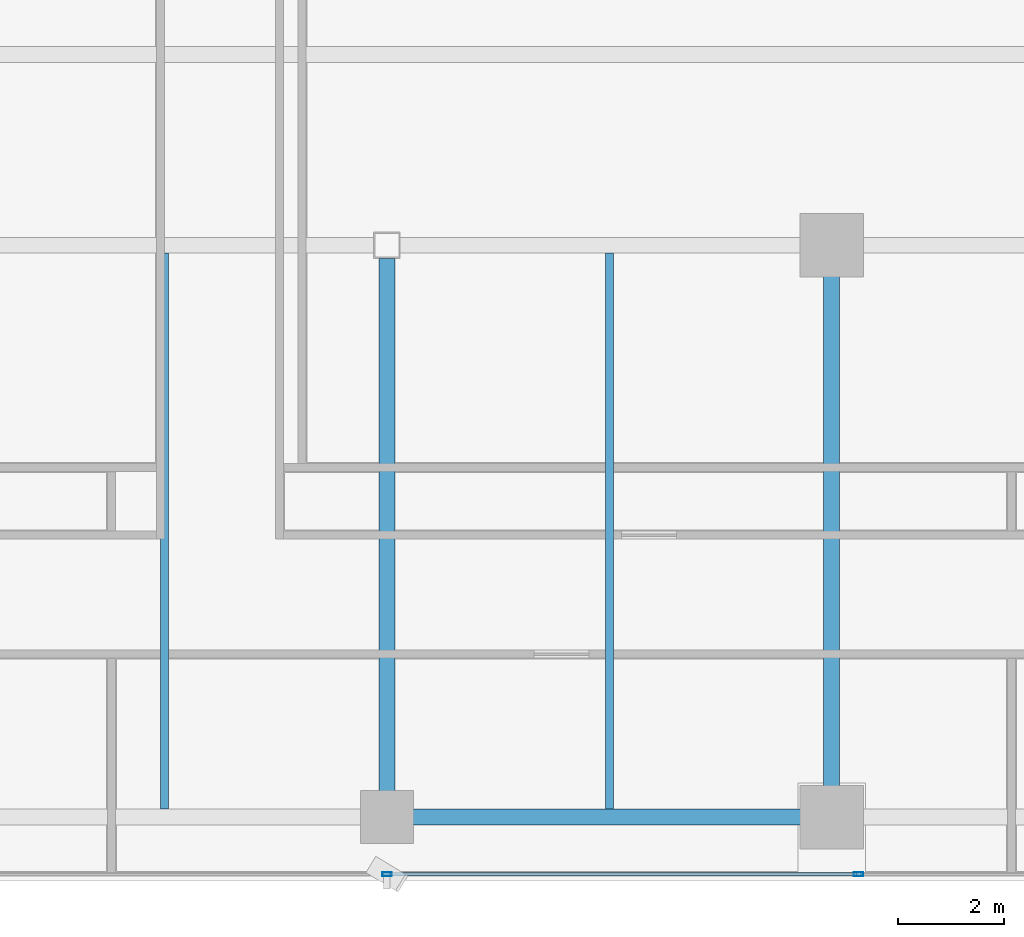
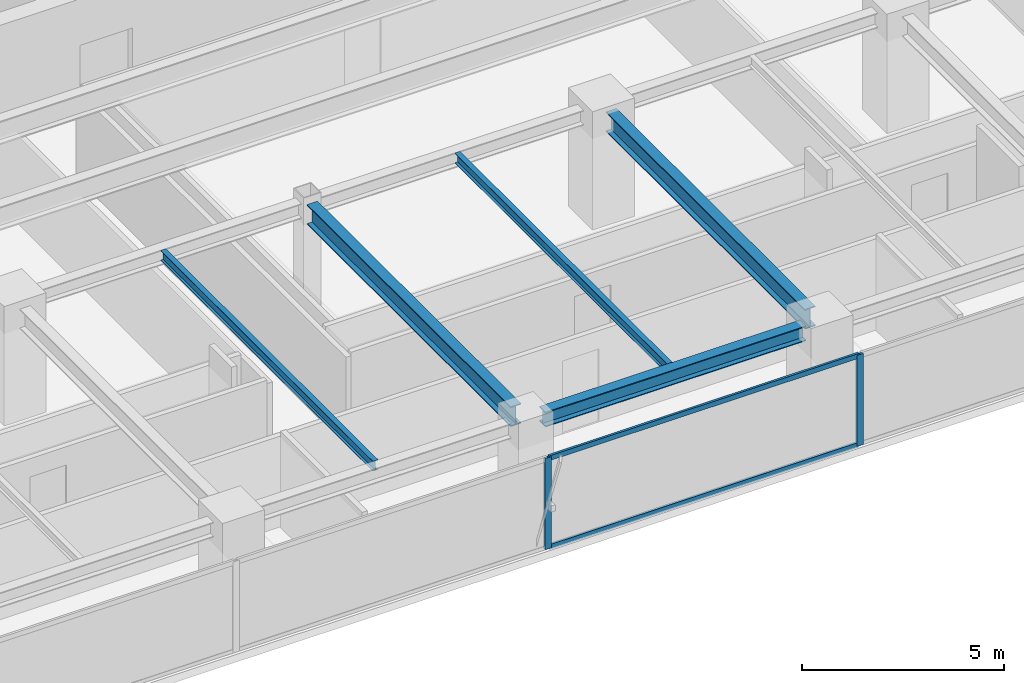
# One storey, part 4 of 20: 5 beams, 4 members, 1 element without a shape of its own.
"""IFC4 building model written with IfcOpenShell, lengths in metres."""

from ifc_helpers import new_model, si_unit, direction, frame, origin, origin_2d, place, context, subcontext, project, spatial, hollow_rectangle, i_section, extrude, source, transform, mapped, material, layer, layer_set, material_profile, profile_set, type_object, element, aggregate, save


model = new_model("IFC4")

# Units and contexts
model_context = context("Model", 3, precision=1e-05, world=origin(), true_north=direction((0.0, 1.0)))
body_context = subcontext(model_context, "Body", "Model", "MODEL_VIEW")
ifc_project = project(units=[si_unit("LENGTHUNIT", "METRE"), si_unit("AREAUNIT", "SQUARE_METRE"), si_unit("VOLUMEUNIT", "CUBIC_METRE"), si_unit("PLANEANGLEUNIT", "RADIAN"), si_unit("MASSUNIT", "GRAM", prefix="KILO")], contexts=[model_context])

# Site, building, storey
site_placement = place(None, origin())
site = spatial("IfcSite", under=ifc_project, at=site_placement, CompositionType="ELEMENT")
building_placement = place(site_placement, origin())
building = spatial("IfcBuilding", under=site, at=building_placement, Name="Sumidabori Civic Tower", CompositionType="ELEMENT")
storey_placement = place(building_placement, frame((0.0, 0.0, 282.800048828125)))
storey = spatial("IfcBuildingStorey", under=building, at=storey_placement, Name="L74", CompositionType="ELEMENT", Elevation=282.800048828125)

# Beams
ifc_material_1 = material(Name="Steel SN490", Category="steel")
ifc_material_profile_1 = material_profile(ifc_material_1, i_section(OverallWidth=0.300048828125, OverallDepth=0.60009765625, WebThickness=0.015380859375, FlangeThickness=0.030029296875, at=origin_2d()), Name="HE 600 B")
ifc_profile_set_1 = profile_set([ifc_material_profile_1], Name="Steel SN490")
beam_type_1 = type_object("IfcBeamType", Name="BM-GIRD-600", PredefinedType="BEAM", material=ifc_profile_set_1)
shared_shape_1 = source(origin(), body_context, "Body", "SweptSolid", [
    extrude(i_section(OverallWidth=0.300048828125, OverallDepth=0.60009765625, WebThickness=0.015380859375, FlangeThickness=0.030029296875, at=origin_2d()), origin(), (0.0, 0.0, 1.0), 9.840087890625),
])
beam_1_placement = place(storey_placement, frame((8.39990234375, -10.320068359375, 3.070068359375), z_axis=(0.0, 1.0, 0.0), x_axis=(-1.0, 0.0, 0.0)))
element("IfcBeam", 1, at=beam_1_placement, inside=storey, type_object=beam_type_1, Name="Primary Girder L74 GY-14", PredefinedType="BEAM", context=body_context, shape_type="MappedRepresentation", body=[
    mapped(shared_shape_1, transform((0.0, 0.0, 0.0), x_axis=(1.0, 0.0, 0.0), y_axis=(0.0, 1.0, 0.0), z_axis=(0.0, 0.0, 1.0), scale=1.0)),
])
ifc_material_profile_2 = material_profile(ifc_material_1, i_section(OverallWidth=0.300048828125, OverallDepth=0.449951171875, WebThickness=0.013916015625, FlangeThickness=0.02587890625, at=origin_2d()), Name="HE 450 B")
ifc_profile_set_2 = profile_set([ifc_material_profile_2], Name="Steel SN490")
beam_type_2 = type_object("IfcBeamType", Name="BM-GIRD-450", PredefinedType="BEAM", material=ifc_profile_set_2)
shared_shape_2 = source(origin(), body_context, "Body", "SweptSolid", [
    extrude(i_section(OverallWidth=0.300048828125, OverallDepth=0.449951171875, WebThickness=0.013916015625, FlangeThickness=0.02587890625, at=origin_2d()), origin(), (0.0, 0.0, 1.0), 7.43994140625),
])
beam_2_placement = place(storey_placement, frame((0.47998046875, -10.800048828125, 3.14501953125), z_axis=(1.0, 0.0, 0.0), x_axis=(0.0, 1.0, 0.0)))
element("IfcBeam", 2, at=beam_2_placement, inside=storey, type_object=beam_type_2, Name="Primary Girder L74 GX-03", PredefinedType="BEAM", context=body_context, shape_type="MappedRepresentation", body=[
    mapped(shared_shape_2, transform((0.0, 0.0, 0.0), x_axis=(1.0, 0.0, 0.0), y_axis=(0.0, 1.0, 0.0), z_axis=(0.0, 0.0, 1.0), scale=1.0)),
])
shared_shape_3 = source(origin(), body_context, "Body", "SweptSolid", [
    extrude(i_section(OverallWidth=0.300048828125, OverallDepth=0.60009765625, WebThickness=0.015380859375, FlangeThickness=0.030029296875, at=origin_2d()), origin(), (0.0, 0.0, 1.0), 10.070068359375),
])
beam_3_placement = place(storey_placement, frame((0.0, -10.320068359375, 3.070068359375), z_axis=(0.0, 1.0, 0.0), x_axis=(-1.0, 0.0, 0.0)))
element("IfcBeam", 3, at=beam_3_placement, inside=storey, type_object=beam_type_1, Name="Primary Girder L74 GY-13", PredefinedType="BEAM", context=body_context, shape_type="MappedRepresentation", body=[
    mapped(shared_shape_3, transform((0.0, 0.0, 0.0), x_axis=(1.0, 0.0, 0.0), y_axis=(0.0, 1.0, 0.0), z_axis=(0.0, 0.0, 1.0), scale=1.0)),
])
ifc_material_profile_3 = material_profile(ifc_material_1, i_section(OverallWidth=0.14990234375, OverallDepth=0.300048828125, WebThickness=0.007080078125, FlangeThickness=0.0107421875, at=origin_2d()), Name="IPE 300")
ifc_profile_set_3 = profile_set([ifc_material_profile_3], Name="Steel SN490")
beam_type_3 = type_object("IfcBeamType", Name="BM-JST-300", PredefinedType="JOIST", material=ifc_profile_set_3)
shared_shape_4 = source(origin(), body_context, "Body", "SweptSolid", [
    extrude(i_section(OverallWidth=0.14990234375, OverallDepth=0.300048828125, WebThickness=0.007080078125, FlangeThickness=0.0107421875, at=origin_2d()), origin(), (0.0, 0.0, 1.0), 10.5),
])
for number, where, z_axis, x_axis, name in (
    (4, (-4.199951171875, -10.64990234375, 3.219970703125), (0.0, 1.0, 0.0), (-1.0, 0.0, 0.0), "Upper Lens N-S Floor Joist L74 JSTV-25"),
    (5, (4.199951171875, -10.64990234375, 3.219970703125), (0.0, 1.0, 0.0), (-1.0, 0.0, 0.0), "Upper Lens N-S Floor Joist L74 JSTV-26"),
):
    element("IfcBeam", number, at=place(storey_placement, frame(where, z_axis=z_axis, x_axis=x_axis)), inside=storey, type_object=beam_type_3, Name=name, PredefinedType="JOIST", context=body_context, shape_type="MappedRepresentation", body=[
        mapped(shared_shape_4, transform((0.0, 0.0, 0.0), x_axis=(1.0, 0.0, 0.0), y_axis=(0.0, 1.0, 0.0), z_axis=(0.0, 0.0, 1.0), scale=1.0)),
    ])

# Curtain wall, members
ifc_material_2 = material(Name="Anodised Bronze Aluminium AW-6063-T6", Category="aluminium")
ifc_layer = layer(ifc_material_2, 0.179931640625, Name="Anodised Bronze Aluminium AW-6063-T6")
ifc_layer_set = layer_set([ifc_layer], Name="Anodised Bronze Aluminium AW-6063-T6")
curtain_wall_type = type_object("IfcCurtainWallType", Name="CW-SYS-6", PredefinedType="NOTDEFINED", material=ifc_layer_set)
curtain_wall_placement = place(storey_placement, origin())
curtain_wall = element("IfcCurtainWall", 6, at=curtain_wall_placement, inside=storey, type_object=curtain_wall_type, Name="Curtain Wall CW:L74:R01", PredefinedType="NOTDEFINED")
ifc_material_profile_4 = material_profile(ifc_material_2, hollow_rectangle(XDim=0.070068359375, YDim=0.179931640625, WallThickness=0.006103515625, at=origin_2d()), Name="ALU MULLION 180x70")
ifc_profile_set_4 = profile_set([ifc_material_profile_4], Name="Anodised Bronze Aluminium AW-6063-T6")
member_type_1 = type_object("IfcMemberType", Name="CW-MUL-180", PredefinedType="MULLION", material=ifc_profile_set_4)
shared_shape_5 = source(origin(), body_context, "Body", "SweptSolid", [
    extrude(hollow_rectangle(XDim=0.070068359375, YDim=0.179931640625, WallThickness=0.006103515625, at=origin_2d()), origin(), (0.0, 0.0, 1.0), 2.75),
])
member_1_placement = place(storey_placement, frame((0.0, -11.8798828125, 0.0), z_axis=(0.0, 0.0, 1.0), x_axis=(0.0, 1.0, 0.0)))
member_1 = element("IfcMember", 7, at=member_1_placement, type_object=member_type_1, Name="CW-6 mullion 3", PredefinedType="MULLION", context=body_context, shape_type="MappedRepresentation", body=[
    mapped(shared_shape_5, transform((0.0, 0.0, 0.0), x_axis=(1.0, 0.0, 0.0), y_axis=(0.0, 1.0, 0.0), z_axis=(0.0, 0.0, 1.0), scale=1.0)),
])
member_2_placement = place(storey_placement, frame((8.909912109375, -11.8798828125, 0.0), z_axis=(0.0, 0.0, 1.0), x_axis=(0.0, 1.0, 0.0)))
member_2 = element("IfcMember", 8, at=member_2_placement, type_object=member_type_1, Name="CW-6 mullion 4", PredefinedType="MULLION", context=body_context, shape_type="MappedRepresentation", body=[
    mapped(shared_shape_5, transform((0.0, 0.0, 0.0), x_axis=(1.0, 0.0, 0.0), y_axis=(0.0, 1.0, 0.0), z_axis=(0.0, 0.0, 1.0), scale=1.0)),
])
ifc_material_profile_5 = material_profile(ifc_material_2, hollow_rectangle(XDim=0.06494140625, YDim=0.14990234375, WallThickness=0.0048828125, at=origin_2d()), Name="ALU TRANSOM 150x65")
ifc_profile_set_5 = profile_set([ifc_material_profile_5], Name="Anodised Bronze Aluminium AW-6063-T6")
member_type_2 = type_object("IfcMemberType", Name="CW-TRN-150", PredefinedType="USERDEFINED", material=ifc_profile_set_5)
shared_shape_6 = source(origin(), body_context, "Body", "SweptSolid", [
    extrude(hollow_rectangle(XDim=0.06494140625, YDim=0.14990234375, WallThickness=0.0048828125, at=origin_2d()), origin(), (0.0, 0.0, 1.0), 8.840087890625),
])
member_3_placement = place(storey_placement, frame((0.034912109375, -11.8798828125, 0.032470703125), z_axis=(1.0, 0.0, 0.0), x_axis=(0.0, 1.0, 0.0)))
member_3 = element("IfcMember", 9, at=member_3_placement, type_object=member_type_2, Name="CW-6 transom 3.1", ObjectType="TRANSOM", PredefinedType="USERDEFINED", context=body_context, shape_type="MappedRepresentation", body=[
    mapped(shared_shape_6, transform((0.0, 0.0, 0.0), x_axis=(1.0, 0.0, 0.0), y_axis=(0.0, 1.0, 0.0), z_axis=(0.0, 0.0, 1.0), scale=1.0)),
])
member_4_placement = place(storey_placement, frame((0.034912109375, -11.8798828125, 2.717529296875), z_axis=(1.0, 0.0, 0.0), x_axis=(0.0, 1.0, 0.0)))
member_4 = element("IfcMember", 10, at=member_4_placement, type_object=member_type_2, Name="CW-6 transom 3.2", ObjectType="TRANSOM", PredefinedType="USERDEFINED", context=body_context, shape_type="MappedRepresentation", body=[
    mapped(shared_shape_6, transform((0.0, 0.0, 0.0), x_axis=(1.0, 0.0, 0.0), y_axis=(0.0, 1.0, 0.0), z_axis=(0.0, 0.0, 1.0), scale=1.0)),
])
aggregate(curtain_wall, [member_1, member_2, member_3, member_4])

save(model, "model.ifc")
